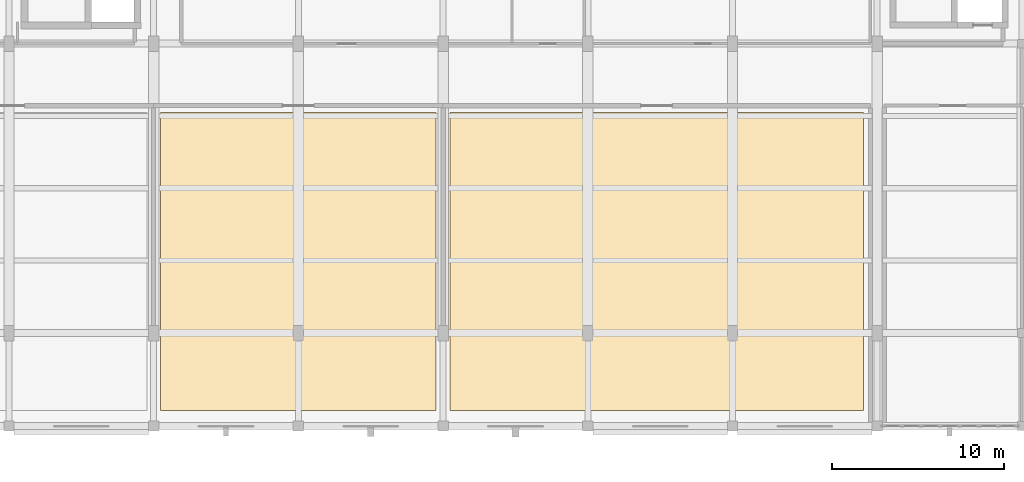
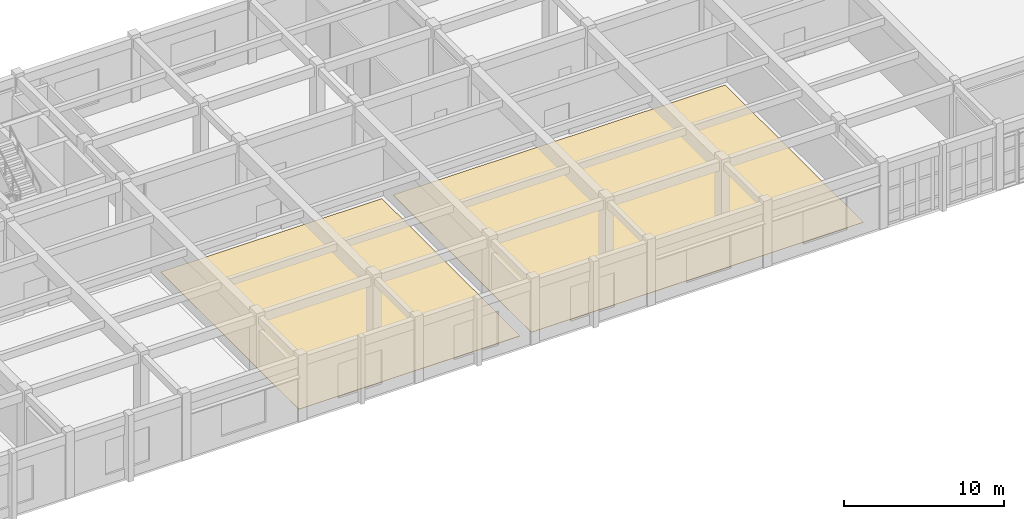
# One storey, part 88 of 93: 2 coverings.
"""IFC4 building model written with IfcOpenShell, lengths in metres."""

from ifc_helpers import new_model, si_unit, direction, frame, origin, place, context, subcontext, project, spatial, polyline, outline, extrude, material, layer, layer_set, type_object, element, save


model = new_model("IFC4")

# Units and contexts
model_context = context("Model", 3, precision=1e-05, world=origin(), true_north=direction((0.0, 1.0)))
body_context = subcontext(model_context, "Body", "Model", "MODEL_VIEW")
ifc_project = project(units=[si_unit("LENGTHUNIT", "METRE"), si_unit("AREAUNIT", "SQUARE_METRE"), si_unit("VOLUMEUNIT", "CUBIC_METRE"), si_unit("PLANEANGLEUNIT", "RADIAN"), si_unit("MASSUNIT", "GRAM", prefix="KILO")], contexts=[model_context])

# Site, building, storey
site_placement = place(None, origin())
site = spatial("IfcSite", under=ifc_project, at=site_placement, CompositionType="ELEMENT")
building_placement = place(site_placement, origin())
building = spatial("IfcBuilding", under=site, at=building_placement, Name="Krzemoval Escarpment Law Courts", CompositionType="ELEMENT")
storey_placement = place(building_placement, frame((0.0, 0.0, 10.199951171875)))
storey = spatial("IfcBuildingStorey", under=building, at=storey_placement, Name="L02", CompositionType="ELEMENT", Elevation=10.199951171875)

# Coverings
ifc_material = material(Name="Honed Silesian Granite Stone Flooring", Category="masonry")
ifc_layer = layer(ifc_material, 0.030029296875)
ifc_layer_set = layer_set([ifc_layer], Name="Honed Silesian Granite Stone Flooring")
covering_type = type_object("IfcCoveringType", Name="COV-FLR-STN30", PredefinedType="FLOORING", material=ifc_layer_set)
covering_1_placement = place(storey_placement, origin())
element("IfcCovering", 1, at=covering_1_placement, inside=storey, type_object=covering_type, Name="Stone Floor Finish FLR-L02-25", PredefinedType="FLOORING", context=body_context, shape_type="SweptSolid", body=[
    extrude(outline(polyline([(67.60009765625, 0.89990234375), (67.60009765625, 18.199951171875), (83.60009765625, 18.199951171875), (83.60009765625, 0.89990234375), (67.60009765625, 0.89990234375)])), origin(), (0.0, 0.0, 1.0), 0.030029296875),
])
covering_2_placement = place(storey_placement, origin())
element("IfcCovering", 2, at=covering_2_placement, inside=storey, type_object=covering_type, Name="Stone Floor Finish FLR-L02-26", PredefinedType="FLOORING", context=body_context, shape_type="SweptSolid", body=[
    extrude(outline(polyline([(84.39990234375, 0.89990234375), (84.39990234375, 18.199951171875), (108.39990234375, 18.199951171875), (108.39990234375, 0.89990234375), (84.39990234375, 0.89990234375)])), origin(), (0.0, 0.0, 1.0), 0.030029296875),
])

save(model, "model.ifc")
